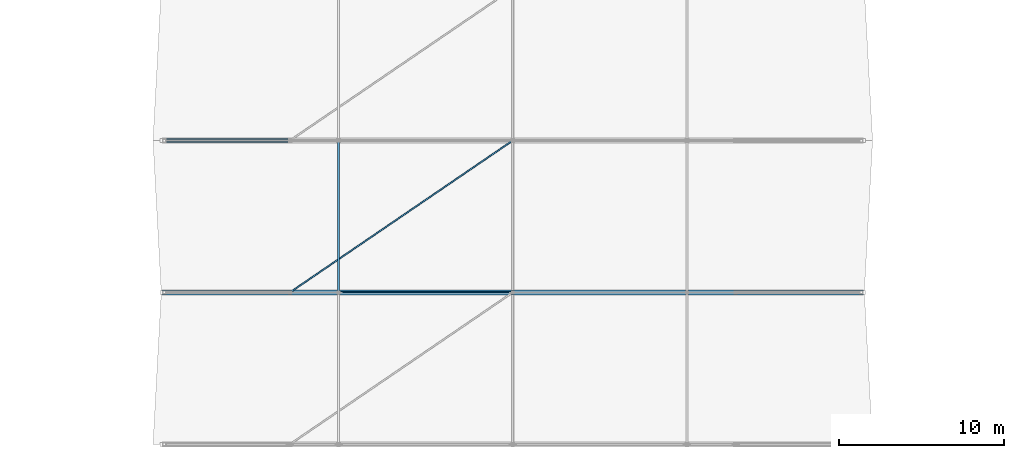
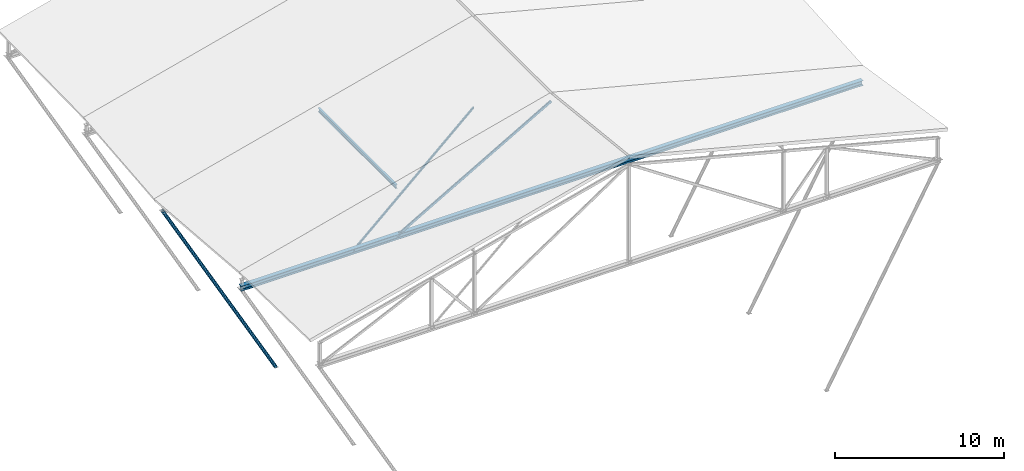
# One storey, part 12 of 56: 4 members, 1 beam.
"""IFC4 building model written with IfcOpenShell, lengths in metres."""

from ifc_helpers import new_model, si_unit, direction, frame, origin, origin_2d, place, context, subcontext, project, spatial, hollow_rectangle, hollow_circle, i_section, extrude, material, material_profile, profile_set, type_object, element, save


model = new_model("IFC4")

# Units and contexts
model_context = context("Model", 3, precision=1e-05, world=origin(), true_north=direction((0.0, 1.0)))
body_context = subcontext(model_context, "Body", "Model", "MODEL_VIEW")
ifc_project = project(units=[si_unit("LENGTHUNIT", "METRE"), si_unit("AREAUNIT", "SQUARE_METRE"), si_unit("VOLUMEUNIT", "CUBIC_METRE"), si_unit("PLANEANGLEUNIT", "RADIAN"), si_unit("MASSUNIT", "GRAM", prefix="KILO")], contexts=[model_context])

# Site, building, storey
site_placement = place(None, origin())
site = spatial("IfcSite", under=ifc_project, at=site_placement, CompositionType="ELEMENT")
building_placement = place(site_placement, origin())
building = spatial("IfcBuilding", under=site, at=building_placement, Name="Bozkorgan Art Gallery", CompositionType="ELEMENT")
storey_placement = place(building_placement, frame((0.0, 0.0, 24.0)))
storey = spatial("IfcBuildingStorey", under=building, at=storey_placement, Name="L05", CompositionType="ELEMENT", Elevation=24.0)

# Beam
ifc_material = material(Name="Steel S355J2", Category="steel")
ifc_material_profile_1 = material_profile(ifc_material, i_section(OverallWidth=0.300048828125, OverallDepth=0.360107421875, WebThickness=0.012451171875, FlangeThickness=0.0224609375, FilletRadius=0.027099609375, at=origin_2d()), Name="HEB 360")
ifc_profile_set_1 = profile_set([ifc_material_profile_1], Name="Steel S355J2")
beam_type = type_object("IfcBeamType", Name="BEAM-TO-26", PredefinedType="BEAM", material=ifc_profile_set_1)
beam_placement = place(storey_placement, frame((66.260009765625, 56.800048828125, 0.179931640625), z_axis=(1.0, 0.0, 0.0), x_axis=(0.0, 1.0, 0.0)))
element("IfcBeam", 1, at=beam_placement, inside=storey, type_object=beam_type, Name="ROOF-V4-MAIN roof truss 2 bottom chord", PredefinedType="BEAM", context=body_context, shape_type="SweptSolid", body=[
    extrude(i_section(OverallWidth=0.300048828125, OverallDepth=0.360107421875, WebThickness=0.012451171875, FlangeThickness=0.0224609375, FilletRadius=0.027099609375, at=origin_2d()), origin(), (0.0, 0.0, 1.0), 42.47998046875),
])

# Members
ifc_material_profile_2 = material_profile(ifc_material, hollow_circle(Radius=0.109619140625, WallThickness=0.010009765625, at=origin_2d()), Name="CHS 219.1x10")
ifc_profile_set_2 = profile_set([ifc_material_profile_2], Name="Steel S355J2")
member_type_1 = type_object("IfcMemberType", Name="MEMBER-ES-44", PredefinedType="BRACE", material=ifc_profile_set_2)
member_1_placement = place(storey_placement, frame((74.0, 66.0, -13.800048828125), z_axis=(-0.484367254786, 0.0, 0.874864768116), x_axis=(0.0, -1.0, 0.0)))
element("IfcMember", 2, at=member_1_placement, inside=storey, type_object=member_type_1, Name="ROOF-V4-MAIN west swept-eave diagonal tree-strut 3", PredefinedType="BRACE", context=body_context, shape_type="SweptSolid", body=[
    extrude(hollow_circle(Radius=0.109619140625, WallThickness=0.010009765625, at=origin_2d()), origin(), (0.0, 0.0, 1.0), 15.9794921875),
])
ifc_material_profile_3 = material_profile(ifc_material, i_section(OverallWidth=0.135009765625, OverallDepth=0.27001953125, WebThickness=0.006591796875, FlangeThickness=0.01025390625, FilletRadius=0.014892578125, at=origin_2d()), Name="IPE 270")
ifc_profile_set_3 = profile_set([ifc_material_profile_3], Name="Steel S355J2")
member_type_2 = type_object("IfcMemberType", Name="MEMBER-PR-57", PredefinedType="PURLIN", material=ifc_profile_set_3)
member_2_placement = place(storey_placement, frame((76.949951171875, 56.800048828125, 3.736083984375), z_axis=(0.0, 1.0, 0.0), x_axis=(-1.0, 0.0, 0.0)))
element("IfcMember", 3, at=member_2_placement, inside=storey, type_object=member_type_2, Name="ROOF-V4-MAIN roof purlin 2W", PredefinedType="PURLIN", context=body_context, shape_type="SweptSolid", body=[
    extrude(i_section(OverallWidth=0.135009765625, OverallDepth=0.27001953125, WebThickness=0.006591796875, FlangeThickness=0.01025390625, FilletRadius=0.014892578125, at=origin_2d()), origin(), (0.0, 0.0, 1.0), 9.199951171875),
])
ifc_material_profile_4 = material_profile(ifc_material, hollow_rectangle(XDim=0.10009765625, YDim=0.179931640625, WallThickness=0.008056640625, InnerFilletRadius=0.011962890625, OuterFilletRadius=0.02001953125, at=origin_2d()), Name="RHS 180x100x8")
ifc_profile_set_4 = profile_set([ifc_material_profile_4], Name="Steel S355J2")
member_type_3 = type_object("IfcMemberType", Name="MEMBER-TW-22", PredefinedType="BRACE", material=ifc_profile_set_4)
member_3_placement = place(storey_placement, frame((76.949951171875, 56.800048828125, 0.179931640625), z_axis=(0.867499704855, 0.0, 0.497437696679), x_axis=(0.0, 1.0, 0.0)))
element("IfcMember", 4, at=member_3_placement, inside=storey, type_object=member_type_3, Name="ROOF-V4-MAIN roof truss 2 diagonal 3", PredefinedType="BRACE", context=body_context, shape_type="SweptSolid", body=[
    extrude(hollow_rectangle(XDim=0.10009765625, YDim=0.179931640625, WallThickness=0.008056640625, InnerFilletRadius=0.011962890625, OuterFilletRadius=0.02001953125, at=origin_2d()), origin(), (0.0, 0.0, 1.0), 12.161376953125),
])
ifc_material_profile_5 = material_profile(ifc_material, hollow_rectangle(XDim=0.10009765625, YDim=0.14990234375, WallThickness=0.008056640625, InnerFilletRadius=0.011962890625, OuterFilletRadius=0.02001953125, at=origin_2d()), Name="RHS 150x100x8")
ifc_profile_set_5 = profile_set([ifc_material_profile_5], Name="Steel S355J2")
member_type_4 = type_object("IfcMemberType", Name="MEMBER-WB-10", PredefinedType="BRACE", material=ifc_profile_set_5)
member_4_placement = place(storey_placement, frame((74.0, 56.800048828125, 0.179931640625), z_axis=(0.826358214582, 0.563144831454, 0.0), x_axis=(-0.563144831454, 0.826358214582, 0.0)))
element("IfcMember", 5, at=member_4_placement, inside=storey, type_object=member_type_4, Name="ROOF-V4-MAIN roof diaphragm wind brace 2", PredefinedType="BRACE", context=body_context, shape_type="SweptSolid", body=[
    extrude(hollow_rectangle(XDim=0.10009765625, YDim=0.14990234375, WallThickness=0.008056640625, InnerFilletRadius=0.011962890625, OuterFilletRadius=0.02001953125, at=origin_2d()), origin(), (0.0, 0.0, 1.0), 16.336669921875),
])

save(model, "model.ifc")
